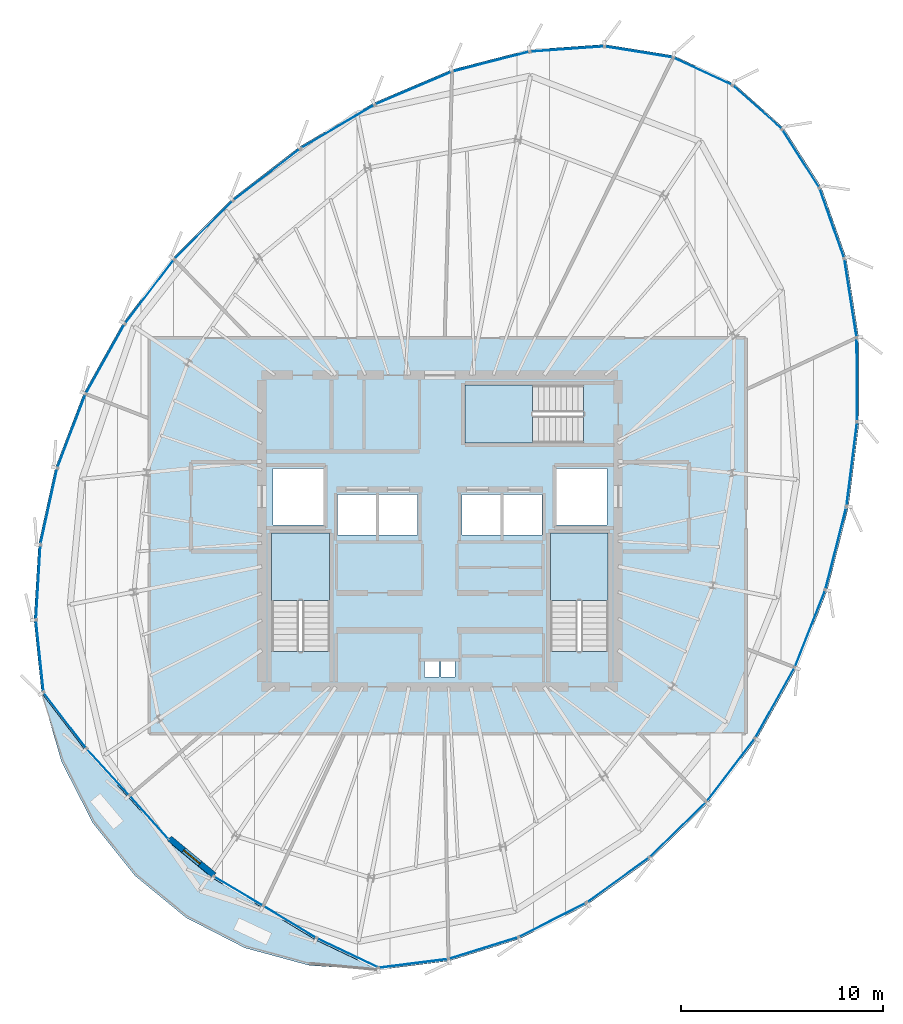
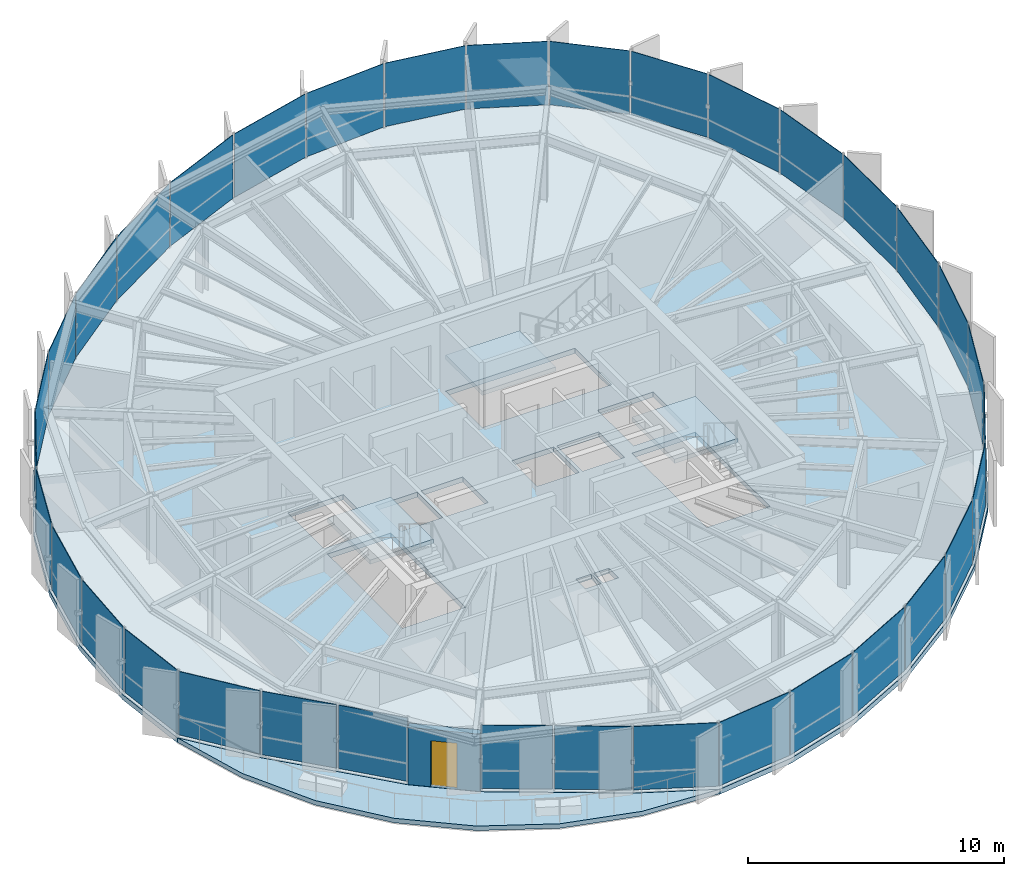
# One storey, part 26 of 34: 35 plates, 5 slabs, 1 door, 1 wall, 1 opening, 9 elements without a shape of their own.
"""IFC4 building model written with IfcOpenShell, lengths in metres."""

from ifc_helpers import new_model, si_unit, direction, frame, frame_2d, origin, origin_2d, place, context, subcontext, project, spatial, polyline, rectangle, outline, extrude, source, transform, mapped, material, layer, layer_set, type_object, element, fill, aggregate, save


model = new_model("IFC4")

# Units and contexts
model_context = context("Model", 3, precision=1e-05, world=origin(), true_north=direction((0.0, 1.0)))
body_context = subcontext(model_context, "Body", "Model", "MODEL_VIEW")
ifc_project = project(units=[si_unit("LENGTHUNIT", "METRE"), si_unit("AREAUNIT", "SQUARE_METRE"), si_unit("VOLUMEUNIT", "CUBIC_METRE"), si_unit("PLANEANGLEUNIT", "RADIAN"), si_unit("MASSUNIT", "GRAM", prefix="KILO"), si_unit("THERMODYNAMICTEMPERATUREUNIT", "KELVIN")], contexts=[model_context])

# Site, building, storey
site_placement = place(None, origin())
site = spatial("IfcSite", under=ifc_project, at=site_placement, CompositionType="ELEMENT")
building_placement = place(site_placement, origin())
building = spatial("IfcBuilding", under=site, at=building_placement, Name="Kethvar Cultural Tower", CompositionType="ELEMENT")
storey_placement = place(building_placement, frame((0.0, 0.0, 262.89990234375)))
storey = spatial("IfcBuildingStorey", under=building, at=storey_placement, Name="L69", CompositionType="ELEMENT", Elevation=262.89990234375)

# Stair, slab
ifc_material_1 = material(Name="Concrete C40/50", Category="concrete")
stair_type = type_object("IfcStairType", Name="ST-DOGLEG-135", PredefinedType="HALF_TURN_STAIR", material=ifc_material_1)
stair_1_placement = place(storey_placement, origin())
stair_1 = element("IfcStair", 1, at=stair_1_placement, inside=storey, type_object=stair_type, Name="L69 Core Exit Stair 1", PredefinedType="HALF_TURN_STAIR")
ifc_layer_1 = layer(ifc_material_1, 0.199951171875, Name="Concrete C40/50", Category="concrete")
ifc_layer_set_1 = layer_set([ifc_layer_1], Name="Concrete C40/50 (200 mm)")
slab_type_1 = type_object("IfcSlabType", Name="SL-STAIR-LANDING-200", PredefinedType="LANDING", material=ifc_layer_set_1)
slab_1_placement = place(storey_placement, frame((0.0, 0.0, 1.525146484375)))
slab_1 = element("IfcSlab", 2, at=slab_1_placement, type_object=slab_type_1, Name="ST-01 landing 1", PredefinedType="LANDING", context=body_context, shape_type="SweptSolid", body=[
    extrude(outline(polyline([(41.35009765625, 24.3701171875), (41.35009765625, 27.699951171875), (38.489990234375, 27.699951171875), (38.489990234375, 24.3701171875), (41.35009765625, 24.3701171875)])), origin(), (0.0, 0.0, 1.0), 0.199951171875),
])
aggregate(stair_1, [slab_1])

stair_2_placement = place(storey_placement, origin())
stair_2 = element("IfcStair", 3, at=stair_2_placement, inside=storey, type_object=stair_type, Name="L69 Core Exit Stair 2", PredefinedType="HALF_TURN_STAIR")
slab_2_placement = place(storey_placement, frame((0.0, 0.0, 1.525146484375)))
slab_2 = element("IfcSlab", 4, at=slab_2_placement, type_object=slab_type_1, Name="ST-02 landing 1", PredefinedType="LANDING", context=body_context, shape_type="SweptSolid", body=[
    extrude(outline(polyline([(55.110107421875, 24.3701171875), (55.110107421875, 27.699951171875), (52.25, 27.699951171875), (52.25, 24.3701171875), (55.110107421875, 24.3701171875)])), origin(), (0.0, 0.0, 1.0), 0.199951171875),
])
aggregate(stair_2, [slab_2])

stair_3_placement = place(storey_placement, origin())
stair_3 = element("IfcStair", 5, at=stair_3_placement, inside=storey, type_object=stair_type, Name="L69 Core Exit Stair 3", PredefinedType="HALF_TURN_STAIR")
slab_3_placement = place(storey_placement, frame((0.0, 0.0, 1.525146484375)))
slab_3 = element("IfcSlab", 6, at=slab_3_placement, type_object=slab_type_1, Name="ST-03 landing 1", PredefinedType="LANDING", context=body_context, shape_type="SweptSolid", body=[
    extrude(outline(polyline([(51.3798828125, 35.010009765625), (48.050048828125, 35.010009765625), (48.050048828125, 32.14990234375), (51.3798828125, 32.14990234375), (51.3798828125, 35.010009765625)])), origin(), (0.0, 0.0, 1.0), 0.199951171875),
])
aggregate(stair_3, [slab_3])

# Slabs
ifc_layer_2 = layer(ifc_material_1, 0.215087890625, Name="Concrete C40/50", Category="concrete")
ifc_layer_set_2 = layer_set([ifc_layer_2], Name="Concrete C40/50 (215 mm)")
slab_type_2 = type_object("IfcSlabType", Name="SL-TER-EXT", PredefinedType="FLOOR", material=ifc_layer_set_2)
slab_4_placement = place(storey_placement, frame((0.0, 0.0, -0.21484375)))
element("IfcSlab", 7, at=slab_4_placement, inside=storey, type_object=slab_type_2, Name="L69 Spiralling Sky Terrace Deck", PredefinedType="FLOOR", context=body_context, shape_type="SweptSolid", body=[
    extrude(outline(polyline([(27.1337890625, 19.78369140625), (28.11474609375, 16.406982421875), (29.663330078125, 13.376708984375), (31.732666015625, 10.784423828125), (34.259765625, 8.709228515625), (37.16796875, 7.214111328125), (40.36865234375, 6.344482421875), (43.764892578125, 6.126953125), (40.666015625, 7.602294921875), (38.02294921875, 9.199951171875), (35.5498046875, 10.67333984375), (33.34423828125, 12.49462890625), (31.396728515625, 14.668701171875), (29.26953125, 16.98779296875), (27.1337890625, 19.78369140625)])), origin(), (0.0, 0.0, 1.0), 0.21484375),
])
ifc_layer_3 = layer(ifc_material_1, 0.239990234375, Name="Concrete C40/50", Category="concrete")
ifc_layer_set_3 = layer_set([ifc_layer_3], Name="Concrete C40/50 (240 mm)")
slab_type_3 = type_object("IfcSlabType", Name="SL-TOW-240", PredefinedType="FLOOR", material=ifc_layer_set_3)
slab_5_placement = place(storey_placement, frame((0.0, 0.0, -0.239990234375)))
element("IfcSlab", 8, at=slab_5_placement, inside=storey, type_object=slab_type_3, Name="L69 Structural Floor Slab", PredefinedType="FLOOR", context=body_context, shape_type="SweptSolid", body=[
    extrude(outline(polyline([(61.316650390625, 49.899658203125), (58.33447265625, 51.28173828125), (54.923095703125, 51.8310546875), (51.214599609375, 51.5732421875), (47.36181640625, 50.57763671875), (43.52685546875, 48.943115234375), (39.8662109375, 46.7802734375), (36.51806640625, 44.195556640625), (33.590087890625, 41.27685546875), (31.14990234375, 38.080078125), (29.210205078125, 34.60888671875), (27.8046875, 30.930908203125), (26.9765625, 27.157470703125), (26.75048828125, 23.40380859375), (27.1337890625, 19.78369140625), (29.26953125, 16.98779296875), (31.396728515625, 14.668701171875), (33.34423828125, 12.49462890625), (35.5498046875, 10.67333984375), (38.02294921875, 9.199951171875), (40.666015625, 7.602294921875), (43.764892578125, 6.126953125), (47.25341796875, 6.567626953125), (50.727783203125, 7.653564453125), (54.083251953125, 9.351806640625), (57.21728515625, 11.6103515625), (60.03466796875, 14.36083984375), (62.4501953125, 17.519775390625), (64.414794921875, 21.02880859375), (65.930419921875, 24.875), (66.972900390625, 28.974365234375), (67.504150390625, 33.19287109375), (67.481201171875, 37.36181640625), (66.86474609375, 41.29296875), (65.62841796875, 44.798828125), (63.76953125, 47.71142578125), (61.316650390625, 49.899658203125)]), holes=[polyline([(38.489990234375, 21.85009765625), (38.489990234375, 27.699951171875), (41.35009765625, 27.699951171875), (41.35009765625, 21.85009765625), (38.489990234375, 21.85009765625)]), polyline([(52.25, 21.85009765625), (52.25, 27.699951171875), (55.110107421875, 27.699951171875), (55.110107421875, 21.85009765625), (52.25, 21.85009765625)]), polyline([(53.89990234375, 32.14990234375), (48.050048828125, 32.14990234375), (48.050048828125, 35.010009765625), (53.89990234375, 35.010009765625), (53.89990234375, 32.14990234375)]), polyline([(41.75, 29.60009765625), (43.64990234375, 29.60009765625), (43.64990234375, 27.60009765625), (41.75, 27.60009765625), (41.75, 29.60009765625)]), polyline([(43.800048828125, 29.60009765625), (45.699951171875, 29.60009765625), (45.699951171875, 27.60009765625), (43.800048828125, 27.60009765625), (43.800048828125, 29.60009765625)]), polyline([(47.89990234375, 29.60009765625), (49.800048828125, 29.60009765625), (49.800048828125, 27.60009765625), (47.89990234375, 27.60009765625), (47.89990234375, 29.60009765625)]), polyline([(49.949951171875, 29.60009765625), (51.85009765625, 29.60009765625), (51.85009765625, 27.60009765625), (49.949951171875, 27.60009765625), (49.949951171875, 29.60009765625)]), polyline([(38.550048828125, 30.89990234375), (41.050048828125, 30.89990234375), (41.050048828125, 28.10009765625), (38.550048828125, 28.10009765625), (38.550048828125, 30.89990234375)]), polyline([(52.550048828125, 30.89990234375), (55.050048828125, 30.89990234375), (55.050048828125, 28.10009765625), (52.550048828125, 28.10009765625), (52.550048828125, 30.89990234375)]), polyline([(46.050048828125, 21.35009765625), (46.75, 21.35009765625), (46.75, 20.60009765625), (46.050048828125, 20.60009765625), (46.050048828125, 21.35009765625)]), polyline([(46.85009765625, 21.35009765625), (47.550048828125, 21.35009765625), (47.550048828125, 20.60009765625), (46.85009765625, 20.60009765625), (46.85009765625, 21.35009765625)])]), origin(), (0.0, 0.0, 1.0), 0.239990234375),
])

# Curtain wall, plate
ifc_material_2 = material(Name="Aluminium 6063-T6", Category="aluminium")
ifc_layer_4 = layer(ifc_material_2, 0.179931640625, Name="Aluminium 6063-T6", Category="aluminium")
ifc_layer_set_4 = layer_set([ifc_layer_4], Name="Aluminium 6063-T6 (180 mm)")
curtain_wall_type = type_object("IfcCurtainWallType", Name="CW-SYS-05-Z56", PredefinedType="NOTDEFINED", material=ifc_layer_set_4)
curtain_wall_1_placement = place(storey_placement, origin())
curtain_wall_1 = element("IfcCurtainWall", 9, at=curtain_wall_1_placement, inside=storey, type_object=curtain_wall_type, Name="L69 Curtain Wall Run 01", PredefinedType="NOTDEFINED")
ifc_material_3 = material(Name="Insulated Low-E Solar Glass", Category="glass")
ifc_layer_5 = layer(ifc_material_3, 0.028076171875, Name="Insulated Low-E Solar Glass", Category="glass")
ifc_layer_set_5 = layer_set([ifc_layer_5], Name="Insulated Low-E Solar Glass (28 mm)")
plate_type = type_object("IfcPlateType", Name="CW-SYS-05-Z56-PNL", PredefinedType="CURTAIN_PANEL", material=ifc_layer_set_5)
shared_shape_1 = source(origin(), body_context, "Body", "SweptSolid", [
    extrude(rectangle(XDim=3.207763671875, YDim=0.028076171875, at=origin_2d()), origin(), (0.0, 0.0, 1.0), 3.030029296875),
])
plate_1_placement = place(storey_placement, frame((59.783447265625, 50.5, 0.08984375), z_axis=(0.0, 0.0, 1.0), x_axis=(-0.907301041183, 0.420481653188, 0.0)))
plate_1 = element("IfcPlate", 10, at=plate_1_placement, type_object=plate_type, Name="CW-L69-R01 Vision Glazing Panel 1", PredefinedType="CURTAIN_PANEL", context=body_context, shape_type="MappedRepresentation", body=[
    mapped(shared_shape_1, transform((0.0, 0.0, 0.0), scale=1.0)),
])

curtain_wall_2_placement = place(storey_placement, origin())
curtain_wall_2 = element("IfcCurtainWall", 11, at=curtain_wall_2_placement, inside=storey, type_object=curtain_wall_type, Name="L69 Curtain Wall Run 06", PredefinedType="NOTDEFINED")
plate_2_placement = place(storey_placement, frame((62.4765625, 48.73095703125, 0.08984375), z_axis=(0.0, 0.0, 1.0), x_axis=(-0.74624329521, 0.665673301518, 0.0)))
plate_2 = element("IfcPlate", 12, at=plate_2_placement, type_object=plate_type, Name="CW-L69-R06 Vision Glazing Panel 6", PredefinedType="CURTAIN_PANEL", context=body_context, shape_type="MappedRepresentation", body=[
    mapped(shared_shape_1, transform((0.0, 0.0, 0.0), scale=1.0)),
])

# Plate
shared_shape_2 = source(origin(), body_context, "Body", "SweptSolid", [
    extrude(rectangle(XDim=3.3759765625, YDim=0.028076171875, at=origin_2d()), origin(), (0.0, 0.0, 1.0), 3.030029296875),
])
plate_3_placement = place(storey_placement, frame((56.61279296875, 51.457763671875, 0.08984375), z_axis=(0.0, 0.0, 1.0), x_axis=(-0.987280962071, 0.158985225513, 0.0)))
plate_3 = element("IfcPlate", 13, at=plate_3_placement, type_object=plate_type, Name="CW-L69-R01 Vision Glazing Panel 2", PredefinedType="CURTAIN_PANEL", context=body_context, shape_type="MappedRepresentation", body=[
    mapped(shared_shape_2, transform((0.0, 0.0, 0.0), scale=1.0)),
])

plate_4_placement = place(storey_placement, frame((64.61474609375, 46.201416015625, 0.08984375), z_axis=(0.0, 0.0, 1.0), x_axis=(-0.537991265503, 0.842950412683, 0.0)))
plate_4 = element("IfcPlate", 14, at=plate_4_placement, type_object=plate_type, Name="CW-L69-R06 Vision Glazing Panel 5", PredefinedType="CURTAIN_PANEL", context=body_context, shape_type="MappedRepresentation", body=[
    mapped(shared_shape_2, transform((0.0, 0.0, 0.0), scale=1.0)),
])

shared_shape_3 = source(origin(), body_context, "Body", "SweptSolid", [
    extrude(rectangle(XDim=3.638427734375, YDim=0.028076171875, at=origin_2d()), origin(), (0.0, 0.0, 1.0), 3.030029296875),
])
plate_5_placement = place(storey_placement, frame((53.07568359375, 51.602294921875, 0.08984375), z_axis=(0.0, 0.0, 1.0), x_axis=(-0.997593182266, -0.069338608984, 0.0)))
plate_5 = element("IfcPlate", 15, at=plate_5_placement, type_object=plate_type, Name="CW-L69-R01 Vision Glazing Panel 3", PredefinedType="CURTAIN_PANEL", context=body_context, shape_type="MappedRepresentation", body=[
    mapped(shared_shape_3, transform((0.0, 0.0, 0.0), scale=1.0)),
])

shared_shape_4 = source(origin(), body_context, "Body", "SweptSolid", [
    extrude(rectangle(XDim=3.89990234375, YDim=0.028076171875, at=origin_2d()), origin(), (0.0, 0.0, 1.0), 3.030029296875),
])
plate_6_placement = place(storey_placement, frame((49.313232421875, 50.978759765625, 0.08984375), z_axis=(0.0, 0.0, 1.0), x_axis=(-0.968200058609, -0.250177230197, 0.0)))
plate_6 = element("IfcPlate", 16, at=plate_6_placement, type_object=plate_type, Name="CW-L69-R01 Vision Glazing Panel 4", PredefinedType="CURTAIN_PANEL", context=body_context, shape_type="MappedRepresentation", body=[
    mapped(shared_shape_4, transform((0.0, 0.0, 0.0), scale=1.0)),
])

shared_shape_5 = source(origin(), body_context, "Body", "SweptSolid", [
    extrude(rectangle(XDim=4.08984375, YDim=0.028076171875, at=origin_2d()), origin(), (0.0, 0.0, 1.0), 3.030029296875),
])
plate_7_placement = place(storey_placement, frame((45.483642578125, 49.66845703125, 0.08984375), z_axis=(0.0, 0.0, 1.0), x_axis=(-0.919924179416, -0.392096294456, 0.0)))
plate_7 = element("IfcPlate", 17, at=plate_7_placement, type_object=plate_type, Name="CW-L69-R01 Vision Glazing Panel 5", PredefinedType="CURTAIN_PANEL", context=body_context, shape_type="MappedRepresentation", body=[
    mapped(shared_shape_5, transform((0.0, 0.0, 0.0), scale=1.0)),
])

plate_8_placement = place(storey_placement, frame((67.392578125, 35.27685546875, 0.08984375), z_axis=(0.0, 0.0, 1.0), x_axis=(-0.005497759448, 0.999984887206, 0.0)))
plate_8 = element("IfcPlate", 18, at=plate_8_placement, type_object=plate_type, Name="CW-L69-R06 Vision Glazing Panel 2", PredefinedType="CURTAIN_PANEL", context=body_context, shape_type="MappedRepresentation", body=[
    mapped(shared_shape_5, transform((0.0, 0.0, 0.0), scale=1.0)),
])

shared_shape_6 = source(origin(), body_context, "Body", "SweptSolid", [
    extrude(rectangle(XDim=4.172607421875, YDim=0.028076171875, at=origin_2d()), origin(), (0.0, 0.0, 1.0), 3.030029296875),
])
plate_9_placement = place(storey_placement, frame((41.747314453125, 47.775390625, 0.08984375), z_axis=(0.0, 0.0, 1.0), x_axis=(-0.860946299968, -0.508695850751, 0.0)))
plate_9 = element("IfcPlate", 19, at=plate_9_placement, type_object=plate_type, Name="CW-L69-R01 Vision Glazing Panel 6", PredefinedType="CURTAIN_PANEL", context=body_context, shape_type="MappedRepresentation", body=[
    mapped(shared_shape_6, transform((0.0, 0.0, 0.0), scale=1.0)),
])

aggregate(curtain_wall_1, [plate_1, plate_3, plate_5, plate_6, plate_7, plate_9])

plate_10_placement = place(storey_placement, frame((67.139404296875, 31.09619140625, 0.08984375), z_axis=(0.0, 0.0, 1.0), x_axis=(0.124934963111, 0.992164933362, 0.0)))
plate_10 = element("IfcPlate", 20, at=plate_10_placement, type_object=plate_type, Name="CW-L69-R06 Vision Glazing Panel 1", PredefinedType="CURTAIN_PANEL", context=body_context, shape_type="MappedRepresentation", body=[
    mapped(shared_shape_6, transform((0.0, 0.0, 0.0), scale=1.0)),
])

# Curtain wall, plate
curtain_wall_3_placement = place(storey_placement, origin())
curtain_wall_3 = element("IfcCurtainWall", 21, at=curtain_wall_3_placement, inside=storey, type_object=curtain_wall_type, Name="L69 Curtain Wall Run 02", PredefinedType="NOTDEFINED")
shared_shape_7 = source(origin(), body_context, "Body", "SweptSolid", [
    extrude(rectangle(XDim=4.150634765625, YDim=0.028076171875, at=origin_2d()), origin(), (0.0, 0.0, 1.0), 3.030029296875),
])
plate_11_placement = place(storey_placement, frame((38.25341796875, 45.40869140625, 0.08984375), z_axis=(0.0, 0.0, 1.0), x_axis=(-0.791575616003, -0.61107122674, 0.0)))
plate_11 = element("IfcPlate", 22, at=plate_11_placement, type_object=plate_type, Name="CW-L69-R02 Vision Glazing Panel 1", PredefinedType="CURTAIN_PANEL", context=body_context, shape_type="MappedRepresentation", body=[
    mapped(shared_shape_7, transform((0.0, 0.0, 0.0), scale=1.0)),
])

curtain_wall_4_placement = place(storey_placement, origin())
curtain_wall_4 = element("IfcCurtainWall", 23, at=curtain_wall_4_placement, inside=storey, type_object=curtain_wall_type, Name="L69 Curtain Wall Run 05", PredefinedType="NOTDEFINED")
plate_12_placement = place(storey_placement, frame((66.354736328125, 26.94921875, 0.08984375), z_axis=(0.0, 0.0, 1.0), x_axis=(0.24644085879, 0.969157831893, 0.0)))
plate_12 = element("IfcPlate", 24, at=plate_12_placement, type_object=plate_type, Name="CW-L69-R05 Vision Glazing Panel 6", PredefinedType="CURTAIN_PANEL", context=body_context, shape_type="MappedRepresentation", body=[
    mapped(shared_shape_7, transform((0.0, 0.0, 0.0), scale=1.0)),
])

# Plate
shared_shape_8 = source(origin(), body_context, "Body", "SweptSolid", [
    extrude(rectangle(XDim=4.054931640625, YDim=0.028076171875, at=origin_2d()), origin(), (0.0, 0.0, 1.0), 3.030029296875),
])
plate_13_placement = place(storey_placement, frame((35.124755859375, 42.665283203125, 0.08984375), z_axis=(0.0, 0.0, 1.0), x_axis=(-0.708228950939, -0.705982827731, 0.0)))
plate_13 = element("IfcPlate", 25, at=plate_13_placement, type_object=plate_type, Name="CW-L69-R02 Vision Glazing Panel 2", PredefinedType="CURTAIN_PANEL", context=body_context, shape_type="MappedRepresentation", body=[
    mapped(shared_shape_8, transform((0.0, 0.0, 0.0), scale=1.0)),
])

shared_shape_9 = source(origin(), body_context, "Body", "SweptSolid", [
    extrude(rectangle(XDim=3.9423828125, YDim=0.028076171875, at=origin_2d()), origin(), (0.0, 0.0, 1.0), 3.030029296875),
])
plate_14_placement = place(storey_placement, frame((32.449462890625, 39.617919921875, 0.08984375), z_axis=(0.0, 0.0, 1.0), x_axis=(-0.606765594053, -0.794880817402, 0.0)))
plate_14 = element("IfcPlate", 26, at=plate_14_placement, type_object=plate_type, Name="CW-L69-R02 Vision Glazing Panel 3", PredefinedType="CURTAIN_PANEL", context=body_context, shape_type="MappedRepresentation", body=[
    mapped(shared_shape_9, transform((0.0, 0.0, 0.0), scale=1.0)),
])

plate_15_placement = place(storey_placement, frame((63.34521484375, 19.3232421875, 0.08984375), z_axis=(0.0, 0.0, 1.0), x_axis=(0.48852987125, 0.872547170585, 0.0)))
plate_15 = element("IfcPlate", 27, at=plate_15_placement, type_object=plate_type, Name="CW-L69-R05 Vision Glazing Panel 4", PredefinedType="CURTAIN_PANEL", context=body_context, shape_type="MappedRepresentation", body=[
    mapped(shared_shape_9, transform((0.0, 0.0, 0.0), scale=1.0)),
])

shared_shape_10 = source(origin(), body_context, "Body", "SweptSolid", [
    extrude(rectangle(XDim=3.897216796875, YDim=0.028076171875, at=origin_2d()), origin(), (0.0, 0.0, 1.0), 3.030029296875),
])
plate_16_placement = place(storey_placement, frame((30.267333984375, 36.295654296875, 0.08984375), z_axis=(0.0, 0.0, 1.0), x_axis=(-0.487813952377, -0.872947620345, 0.0)))
plate_16 = element("IfcPlate", 28, at=plate_16_placement, type_object=plate_type, Name="CW-L69-R02 Vision Glazing Panel 4", PredefinedType="CURTAIN_PANEL", context=body_context, shape_type="MappedRepresentation", body=[
    mapped(shared_shape_10, transform((0.0, 0.0, 0.0), scale=1.0)),
])

plate_17_placement = place(storey_placement, frame((61.1630859375, 16.001220703125, 0.08984375), z_axis=(0.0, 0.0, 1.0), x_axis=(0.607417434343, 0.794382817322, 0.0)))
plate_17 = element("IfcPlate", 29, at=plate_17_placement, type_object=plate_type, Name="CW-L69-R05 Vision Glazing Panel 3", PredefinedType="CURTAIN_PANEL", context=body_context, shape_type="MappedRepresentation", body=[
    mapped(shared_shape_10, transform((0.0, 0.0, 0.0), scale=1.0)),
])

shared_shape_11 = source(origin(), body_context, "Body", "SweptSolid", [
    extrude(rectangle(XDim=3.8583984375, YDim=0.028076171875, at=origin_2d()), origin(), (0.0, 0.0, 1.0), 3.030029296875),
])
plate_18_placement = place(storey_placement, frame((28.600830078125, 32.734130859375, 0.08984375), z_axis=(0.0, 0.0, 1.0), x_axis=(-0.356933650822, -0.9341297388, 0.0)))
plate_18 = element("IfcPlate", 30, at=plate_18_placement, type_object=plate_type, Name="CW-L69-R02 Vision Glazing Panel 5", PredefinedType="CURTAIN_PANEL", context=body_context, shape_type="MappedRepresentation", body=[
    mapped(shared_shape_11, transform((0.0, 0.0, 0.0), scale=1.0)),
])

plate_19_placement = place(storey_placement, frame((58.55615234375, 13.05712890625, 0.08984375), z_axis=(0.0, 0.0, 1.0), x_axis=(0.715558634406, 0.6985526757, 0.0)))
plate_19 = element("IfcPlate", 31, at=plate_19_placement, type_object=plate_type, Name="CW-L69-R05 Vision Glazing Panel 2", PredefinedType="CURTAIN_PANEL", context=body_context, shape_type="MappedRepresentation", body=[
    mapped(shared_shape_11, transform((0.0, 0.0, 0.0), scale=1.0)),
])

shared_shape_12 = source(origin(), body_context, "Body", "SweptSolid", [
    extrude(rectangle(XDim=3.783935546875, YDim=0.028076171875, at=origin_2d()), origin(), (0.0, 0.0, 1.0), 3.030029296875),
])
plate_20_placement = place(storey_placement, frame((27.48828125, 29.022705078125, 0.08984375), z_axis=(0.0, 0.0, 1.0), x_axis=(-0.214394391152, -0.9767471756, 0.0)))
plate_20 = element("IfcPlate", 32, at=plate_20_placement, type_object=plate_type, Name="CW-L69-R02 Vision Glazing Panel 6", PredefinedType="CURTAIN_PANEL", context=body_context, shape_type="MappedRepresentation", body=[
    mapped(shared_shape_12, transform((0.0, 0.0, 0.0), scale=1.0)),
])

aggregate(curtain_wall_3, [plate_11, plate_13, plate_14, plate_16, plate_18, plate_20])

plate_21_placement = place(storey_placement, frame((55.591796875, 10.562255859375, 0.08984375), z_axis=(0.0, 0.0, 1.0), x_axis=(0.811257753702, 0.584688683882, 0.0)))
plate_21 = element("IfcPlate", 33, at=plate_21_placement, type_object=plate_type, Name="CW-L69-R05 Vision Glazing Panel 1", PredefinedType="CURTAIN_PANEL", context=body_context, shape_type="MappedRepresentation", body=[
    mapped(shared_shape_12, transform((0.0, 0.0, 0.0), scale=1.0)),
])

# Curtain wall, plate
curtain_wall_5_placement = place(storey_placement, origin())
curtain_wall_5 = element("IfcCurtainWall", 34, at=curtain_wall_5_placement, inside=storey, type_object=curtain_wall_type, Name="L69 Curtain Wall Run 03", PredefinedType="NOTDEFINED")
shared_shape_13 = source(origin(), body_context, "Body", "SweptSolid", [
    extrude(rectangle(XDim=3.681396484375, YDim=0.028076171875, at=origin_2d()), origin(), (0.0, 0.0, 1.0), 3.030029296875),
])
plate_22_placement = place(storey_placement, frame((26.96337890625, 25.274658203125, 0.08984375), z_axis=(0.0, 0.0, 1.0), x_axis=(-0.060072949169, -0.998193989552, 0.0)))
plate_22 = element("IfcPlate", 35, at=plate_22_placement, type_object=plate_type, Name="CW-L69-R03 Vision Glazing Panel 1", PredefinedType="CURTAIN_PANEL", context=body_context, shape_type="MappedRepresentation", body=[
    mapped(shared_shape_13, transform((0.0, 0.0, 0.0), scale=1.0)),
])

curtain_wall_6_placement = place(storey_placement, origin())
curtain_wall_6 = element("IfcCurtainWall", 36, at=curtain_wall_6_placement, inside=storey, type_object=curtain_wall_type, Name="L69 Curtain Wall Run 04", PredefinedType="NOTDEFINED")
plate_23_placement = place(storey_placement, frame((52.3603515625, 8.591796875, 0.08984375), z_axis=(0.0, 0.0, 1.0), x_axis=(0.892239306195, 0.451562864373, 0.0)))
plate_23 = element("IfcPlate", 37, at=plate_23_placement, type_object=plate_type, Name="CW-L69-R04 Vision Glazing Panel 6", PredefinedType="CURTAIN_PANEL", context=body_context, shape_type="MappedRepresentation", body=[
    mapped(shared_shape_13, transform((0.0, 0.0, 0.0), scale=1.0)),
])

# Plate
shared_shape_14 = source(origin(), body_context, "Body", "SweptSolid", [
    extrude(rectangle(XDim=3.561279296875, YDim=0.028076171875, at=origin_2d()), origin(), (0.0, 0.0, 1.0), 3.030029296875),
])
plate_24_placement = place(storey_placement, frame((27.041748046875, 21.604248046875, 0.08984375), z_axis=(0.0, 0.0, 1.0), x_axis=(0.105292170359, -0.994441330025, 0.0)))
plate_24 = element("IfcPlate", 38, at=plate_24_placement, type_object=plate_type, Name="CW-L69-R03 Vision Glazing Panel 2", PredefinedType="CURTAIN_PANEL", context=body_context, shape_type="MappedRepresentation", body=[
    mapped(shared_shape_14, transform((0.0, 0.0, 0.0), scale=1.0)),
])

shared_shape_15 = source(origin(), body_context, "Body", "SweptSolid", [
    extrude(rectangle(XDim=3.43896484375, YDim=0.028076171875, at=origin_2d()), origin(), (0.0, 0.0, 1.0), 3.030029296875),
])
plate_25_placement = place(storey_placement, frame((28.28125, 18.4462890625, 0.08984375), z_axis=(0.0, 0.0, 1.0), x_axis=(0.607029153148, -0.794679562609, 0.0)))
plate_25 = element("IfcPlate", 39, at=plate_25_placement, type_object=plate_type, Name="CW-L69-R03 Vision Glazing Panel 3", PredefinedType="CURTAIN_PANEL", context=body_context, shape_type="MappedRepresentation", body=[
    mapped(shared_shape_15, transform((0.0, 0.0, 0.0), scale=1.0)),
])

shared_shape_16 = source(origin(), body_context, "Body", "SweptSolid", [
    extrude(rectangle(XDim=3.067626953125, YDim=0.028076171875, at=origin_2d()), origin(), (0.0, 0.0, 1.0), 3.030029296875),
])
plate_26_placement = place(storey_placement, frame((30.40673828125, 15.895751953125, 0.08984375), z_axis=(0.0, 0.0, 1.0), x_axis=(0.6759761525, -0.736923497556, 0.0)))
plate_26 = element("IfcPlate", 40, at=plate_26_placement, type_object=plate_type, Name="CW-L69-R03 Vision Glazing Panel 4", PredefinedType="CURTAIN_PANEL", context=body_context, shape_type="MappedRepresentation", body=[
    mapped(shared_shape_16, transform((0.0, 0.0, 0.0), scale=1.0)),
])

shared_shape_17 = source(origin(), body_context, "Body", "SweptSolid", [
    extrude(rectangle(XDim=2.839599609375, YDim=0.028076171875, at=origin_2d()), origin(), (0.0, 0.0, 1.0), 3.030029296875),
])
plate_27_placement = place(storey_placement, frame((32.445068359375, 13.6484375, 0.08984375), z_axis=(0.0, 0.0, 1.0), x_axis=(0.667234768694, -0.744847476632, 0.0)))
plate_27 = element("IfcPlate", 41, at=plate_27_placement, type_object=plate_type, Name="CW-L69-R03 Vision Glazing Panel 5", PredefinedType="CURTAIN_PANEL", context=body_context, shape_type="MappedRepresentation", body=[
    mapped(shared_shape_17, transform((0.0, 0.0, 0.0), scale=1.0)),
])

aggregate(curtain_wall_5, [plate_22, plate_24, plate_25, plate_26, plate_27])

shared_shape_18 = source(origin(), body_context, "Body", "SweptSolid", [
    extrude(rectangle(XDim=2.799560546875, YDim=0.028076171875, at=origin_2d()), origin(), (0.0, 0.0, 1.0), 3.030029296875),
])
plate_28_placement = place(storey_placement, frame((36.837646484375, 10.022705078125, 0.08984375), z_axis=(0.0, 0.0, 1.0), x_axis=(0.859076053661, -0.511847959874, 0.0)))
plate_28 = element("IfcPlate", 42, at=plate_28_placement, type_object=plate_type, Name="CW-L69-R04 Vision Glazing Panel 1", PredefinedType="CURTAIN_PANEL", context=body_context, shape_type="MappedRepresentation", body=[
    mapped(shared_shape_18, transform((0.0, 0.0, 0.0), scale=1.0)),
])

shared_shape_19 = source(origin(), body_context, "Body", "SweptSolid", [
    extrude(rectangle(XDim=3.009033203125, YDim=0.028076171875, at=origin_2d()), origin(), (0.0, 0.0, 1.0), 3.030029296875),
])
plate_29_placement = place(storey_placement, frame((39.396240234375, 8.48681640625, 0.08984375), z_axis=(0.0, 0.0, 1.0), x_axis=(0.855815998251, -0.517280366086, 0.0)))
plate_29 = element("IfcPlate", 43, at=plate_29_placement, type_object=plate_type, Name="CW-L69-R04 Vision Glazing Panel 2", PredefinedType="CURTAIN_PANEL", context=body_context, shape_type="MappedRepresentation", body=[
    mapped(shared_shape_19, transform((0.0, 0.0, 0.0), scale=1.0)),
])

shared_shape_20 = source(origin(), body_context, "Body", "SweptSolid", [
    extrude(rectangle(XDim=3.35302734375, YDim=0.028076171875, at=origin_2d()), origin(), (0.0, 0.0, 1.0), 3.030029296875),
])
plate_30_placement = place(storey_placement, frame((42.25830078125, 6.955078125, 0.08984375), z_axis=(0.0, 0.0, 1.0), x_axis=(0.902878114841, -0.429896626808, 0.0)))
plate_30 = element("IfcPlate", 44, at=plate_30_placement, type_object=plate_type, Name="CW-L69-R04 Vision Glazing Panel 3", PredefinedType="CURTAIN_PANEL", context=body_context, shape_type="MappedRepresentation", body=[
    mapped(shared_shape_20, transform((0.0, 0.0, 0.0), scale=1.0)),
])

shared_shape_21 = source(origin(), body_context, "Body", "SweptSolid", [
    extrude(rectangle(XDim=3.43701171875, YDim=0.028076171875, at=origin_2d()), origin(), (0.0, 0.0, 1.0), 3.030029296875),
])
plate_31_placement = place(storey_placement, frame((45.49658203125, 6.446533203125, 0.08984375), z_axis=(0.0, 0.0, 1.0), x_axis=(0.992110325755, 0.125367864824, 0.0)))
plate_31 = element("IfcPlate", 45, at=plate_31_placement, type_object=plate_type, Name="CW-L69-R04 Vision Glazing Panel 4", PredefinedType="CURTAIN_PANEL", context=body_context, shape_type="MappedRepresentation", body=[
    mapped(shared_shape_21, transform((0.0, 0.0, 0.0), scale=1.0)),
])

shared_shape_22 = source(origin(), body_context, "Body", "SweptSolid", [
    extrude(rectangle(XDim=3.56103515625, YDim=0.028076171875, at=origin_2d()), origin(), (0.0, 0.0, 1.0), 3.030029296875),
])
plate_32_placement = place(storey_placement, frame((48.960693359375, 7.2060546875, 0.08984375), z_axis=(0.0, 0.0, 1.0), x_axis=(0.954474900269, 0.2982912415, 0.0)))
plate_32 = element("IfcPlate", 46, at=plate_32_placement, type_object=plate_type, Name="CW-L69-R04 Vision Glazing Panel 5", PredefinedType="CURTAIN_PANEL", context=body_context, shape_type="MappedRepresentation", body=[
    mapped(shared_shape_22, transform((0.0, 0.0, 0.0), scale=1.0)),
])

aggregate(curtain_wall_6, [plate_28, plate_29, plate_30, plate_31, plate_32, plate_23])

shared_shape_23 = source(origin(), body_context, "Body", "SweptSolid", [
    extrude(rectangle(XDim=4.0546875, YDim=0.028076171875, at=origin_2d()), origin(), (0.0, 0.0, 1.0), 3.030029296875),
])
plate_33_placement = place(storey_placement, frame((65.07958984375, 22.988525390625, 0.08984375), z_axis=(0.0, 0.0, 1.0), x_axis=(0.366647371852, 0.930359986626, 0.0)))
plate_33 = element("IfcPlate", 47, at=plate_33_placement, type_object=plate_type, Name="CW-L69-R05 Vision Glazing Panel 5", PredefinedType="CURTAIN_PANEL", context=body_context, shape_type="MappedRepresentation", body=[
    mapped(shared_shape_23, transform((0.0, 0.0, 0.0), scale=1.0)),
])

aggregate(curtain_wall_4, [plate_21, plate_19, plate_17, plate_15, plate_33, plate_12])

shared_shape_24 = source(origin(), body_context, "Body", "SweptSolid", [
    extrude(rectangle(XDim=3.900146484375, YDim=0.028076171875, at=origin_2d()), origin(), (0.0, 0.0, 1.0), 3.030029296875),
])
plate_34_placement = place(storey_placement, frame((67.07421875, 39.31201171875, 0.08984375), z_axis=(0.0, 0.0, 1.0), x_axis=(-0.154934543298, 0.987924737666, 0.0)))
plate_34 = element("IfcPlate", 48, at=plate_34_placement, type_object=plate_type, Name="CW-L69-R06 Vision Glazing Panel 3", PredefinedType="CURTAIN_PANEL", context=body_context, shape_type="MappedRepresentation", body=[
    mapped(shared_shape_24, transform((0.0, 0.0, 0.0), scale=1.0)),
])

shared_shape_25 = source(origin(), body_context, "Body", "SweptSolid", [
    extrude(rectangle(XDim=3.63818359375, YDim=0.028076171875, at=origin_2d()), origin(), (0.0, 0.0, 1.0), 3.030029296875),
])
plate_35_placement = place(storey_placement, frame((66.15234375, 43.0126953125, 0.08984375), z_axis=(0.0, 0.0, 1.0), x_axis=(-0.332539738953, 0.94308924393, 0.0)))
plate_35 = element("IfcPlate", 49, at=plate_35_placement, type_object=plate_type, Name="CW-L69-R06 Vision Glazing Panel 4", PredefinedType="CURTAIN_PANEL", context=body_context, shape_type="MappedRepresentation", body=[
    mapped(shared_shape_25, transform((0.0, 0.0, 0.0), scale=1.0)),
])

aggregate(curtain_wall_2, [plate_10, plate_8, plate_34, plate_35, plate_4, plate_2])

# Wall, opening, door
ifc_layer_6 = layer(ifc_material_1, 0.300048828125, Name="Concrete C40/50", Category="concrete")
ifc_layer_set_6 = layer_set([ifc_layer_6], Name="Concrete C40/50 (300 mm)")
wall_type = type_object("IfcWallType", Name="WL-EXT-TER-300", PredefinedType="SOLIDWALL", material=ifc_layer_set_6)
wall_placement = place(storey_placement, frame((35.65185546875, 10.796875, 0.0), z_axis=(0.0, 0.0, 1.0), x_axis=(-0.771081999768, 0.636735855465, 0.0)))
wall = element("IfcWall", 50, at=wall_placement, inside=storey, type_object=wall_type, Name="L69 Sky Terrace Access Wall", PredefinedType="SOLIDWALL", context=body_context, shape_type="SweptSolid", body=[
    extrude(rectangle(XDim=2.8603515625, YDim=0.300048828125, at=frame_2d((1.43017578125, 0.0))), origin(), (0.0, 0.0, 1.0), 2.735107421875),
])
opening_placement = place(wall_placement, frame((0.9052734375, 0.0, 0.0)))
opening = element("IfcOpeningElement", 51, at=opening_placement, cuts=wall, Name="Opening D-L69-T1", PredefinedType="OPENING", context=body_context, shape_type="SweptSolid", body=[
    extrude(rectangle(XDim=1.050048828125, YDim=2.199951171875, at=frame_2d((0.52490234375, 1.10009765625))), frame((0.0, 0.159912109375, 0.0), z_axis=(0.0, -1.0, 0.0), x_axis=(1.0, 0.0, 0.0)), (0.0, 0.0, 1.0), 0.320068359375),
])
door_type = type_object("IfcDoorType", Name="DR-EXT-TER-1050", OperationType="NOTDEFINED", PredefinedType="DOOR", material=ifc_material_2)
shared_shape_26 = source(origin(), body_context, "Body", "SweptSolid", [
    extrude(rectangle(XDim=1.050048828125, YDim=2.199951171875, at=frame_2d((0.52490234375, 1.10009765625))), frame((0.0, 0.02490234375, 0.0), z_axis=(0.0, -1.0, 0.0), x_axis=(1.0, 0.0, 0.0)), (0.0, 0.0, 1.0), 0.050048828125),
])
door_placement = place(opening_placement, origin())
door = element("IfcDoor", 52, at=door_placement, inside=storey, type_object=door_type, Name="L69 Sky Terrace Access Door D-L69-T1", OperationType="SINGLE_SWING_LEFT", OverallHeight=2.199951171875, OverallWidth=1.050048828125, PredefinedType="DOOR", context=body_context, shape_type="MappedRepresentation", body=[
    mapped(shared_shape_26, transform((0.0, 0.0, 0.0), scale=1.0)),
])
fill(opening, door)

save(model, "model.ifc")
